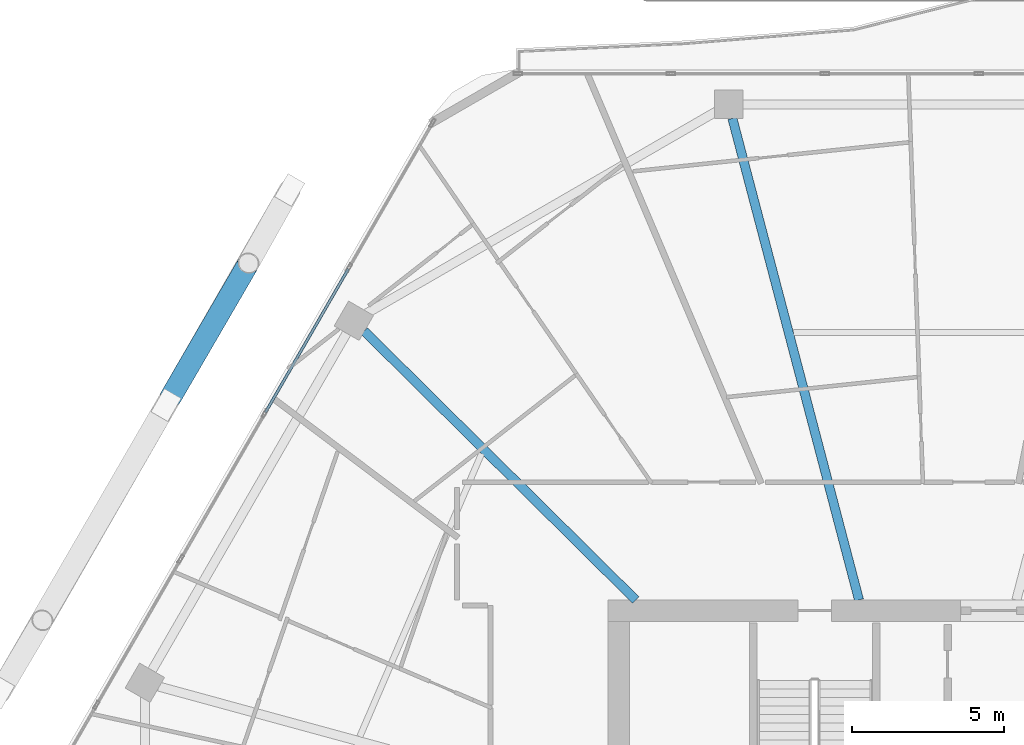
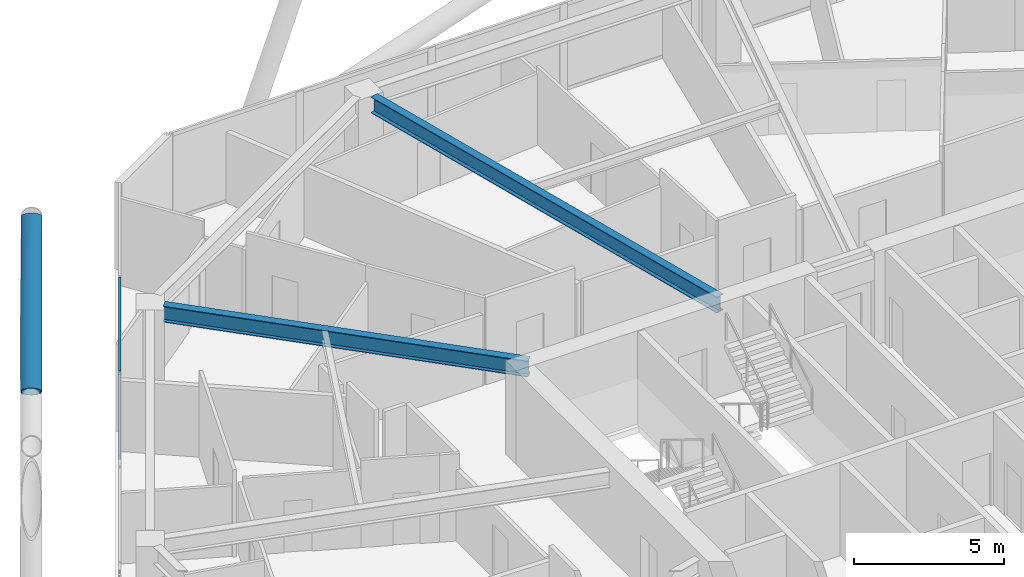
# One storey, part 12 of 28: 3 members, 2 beams, 1 element without a shape of its own.
"""IFC4 building model written with IfcOpenShell, lengths in metres."""

from ifc_helpers import new_model, si_unit, direction, frame, origin, origin_2d, place, context, subcontext, project, spatial, hollow_rectangle, hollow_circle, i_section, extrude, material, material_profile, profile_set, type_object, element, aggregate, save


model = new_model("IFC4")

# Units and contexts
model_context = context("Model", 3, precision=1e-05, world=origin(), true_north=direction((0.0, 1.0)))
body_context = subcontext(model_context, "Body", "Model", "MODEL_VIEW")
ifc_project = project(units=[si_unit("LENGTHUNIT", "METRE"), si_unit("AREAUNIT", "SQUARE_METRE"), si_unit("VOLUMEUNIT", "CUBIC_METRE"), si_unit("PLANEANGLEUNIT", "RADIAN"), si_unit("MASSUNIT", "GRAM", prefix="KILO")], contexts=[model_context])

# Site, building, storey
site_placement = place(None, origin())
site = spatial("IfcSite", under=ifc_project, at=site_placement, CompositionType="ELEMENT")
building_placement = place(site_placement, origin())
building = spatial("IfcBuilding", under=site, at=building_placement, Name="Zuhravey Tower", CompositionType="ELEMENT")
storey_placement = place(building_placement, frame((0.0, 0.0, 207.39990234375)))
storey = spatial("IfcBuildingStorey", under=building, at=storey_placement, Name="L52", CompositionType="ELEMENT", Elevation=207.39990234375)

# Curtain wall, members
ifc_material_1 = material(Name="Thermally broken anodised aluminium", Category="aluminium")
curtain_wall_type = type_object("IfcCurtainWallType", Name="Zone 1-2 Residential Curtain Wall CW3", PredefinedType="NOTDEFINED", material=ifc_material_1)
curtain_wall_placement = place(storey_placement, origin())
curtain_wall = element("IfcCurtainWall", 1, at=curtain_wall_placement, inside=storey, type_object=curtain_wall_type, Name="L52 CW3 CW-L52-F3-1", PredefinedType="NOTDEFINED")
ifc_material_2 = material(Name="Anodised aluminium", Category="aluminium")
ifc_material_profile_1 = material_profile(ifc_material_2, hollow_rectangle(XDim=0.090087890625, YDim=0.14990234375, WallThickness=0.0048828125, at=origin_2d()), Name="ALU-RHS-90x150x5")
ifc_profile_set_1 = profile_set([ifc_material_profile_1], Name="Anodised aluminium")
member_type_1 = type_object("IfcMemberType", Name="Curtain-Wall Transom 90x150", PredefinedType="USERDEFINED", material=ifc_profile_set_1)
member_1_placement = place(storey_placement, frame((13.867431640625, 48.03125, 0.045166015625), z_axis=(0.49996138257, 0.86604769842, 0.0), x_axis=(-0.86604769842, 0.49996138257, 0.0)))
member_1 = element("IfcMember", 2, at=member_1_placement, type_object=member_type_1, Name="CW3 transom 4.1", ObjectType="TRANSOM", PredefinedType="USERDEFINED", context=body_context, shape_type="SweptSolid", body=[
    extrude(hollow_rectangle(XDim=0.090087890625, YDim=0.14990234375, WallThickness=0.0048828125, at=origin_2d()), origin(), (0.0, 0.0, 1.0), 5.45458984375),
])
member_2_placement = place(storey_placement, frame((13.867431640625, 48.03125, 3.505126953125), z_axis=(0.49996138257, 0.86604769842, 0.0), x_axis=(-0.86604769842, 0.49996138257, 0.0)))
member_2 = element("IfcMember", 3, at=member_2_placement, type_object=member_type_1, Name="CW3 transom 4.2", ObjectType="TRANSOM", PredefinedType="USERDEFINED", context=body_context, shape_type="SweptSolid", body=[
    extrude(hollow_rectangle(XDim=0.090087890625, YDim=0.14990234375, WallThickness=0.0048828125, at=origin_2d()), origin(), (0.0, 0.0, 1.0), 5.45458984375),
])
aggregate(curtain_wall, [member_1, member_2])

# Member
ifc_material_3 = material(Name="Steel SM460", Category="steel")
ifc_material_profile_2 = material_profile(ifc_material_3, hollow_circle(Radius=0.355712890625, WallThickness=0.031982421875, at=origin_2d()), Name="CHS-711.2x32")
ifc_profile_set_2 = profile_set([ifc_material_profile_2], Name="Steel SM460")
member_type_2 = type_object("IfcMemberType", Name="Exoskeleton Zone 2 Diagrid CHS711x32", PredefinedType="BRACE", material=ifc_profile_set_2)
member_3_placement = place(storey_placement, frame((10.735107421875, 48.514404296875, 3.53515625), z_axis=(0.410721733314, 0.706831683015, 0.575931098022), x_axis=(-0.864627774747, 0.502412988622, 0.0)))
element("IfcMember", 4, at=member_3_placement, inside=storey, type_object=member_type_2, Name="L52 Face 3 Split Diagrid Brace 3B", PredefinedType="BRACE", context=body_context, shape_type="SweptSolid", body=[
    extrude(hollow_circle(Radius=0.355712890625, WallThickness=0.031982421875, at=origin_2d()), origin(), (0.0, 0.0, 1.0), 6.205078125),
])

# Beams
ifc_material_4 = material(Name="Steel SM355", Category="steel")
ifc_material_profile_3 = material_profile(ifc_material_4, i_section(OverallWidth=0.300048828125, OverallDepth=0.64990234375, WebThickness=0.012939453125, FlangeThickness=0.02197265625, at=origin_2d()), Name="H-650x300x13x22")
ifc_profile_set_3 = profile_set([ifc_material_profile_3], Name="Steel SM355")
beam_type = type_object("IfcBeamType", Name="Radial Primary Girder H650x300", PredefinedType="BEAM", material=ifc_profile_set_3)
beam_1_placement = place(storey_placement, frame((33.4091796875, 41.85302734375, 3.22509765625), z_axis=(-0.254299806285, 0.967125435775, 0.0), x_axis=(-0.967125435775, -0.254299806285, 0.0)))
element("IfcBeam", 5, at=beam_1_placement, inside=storey, type_object=beam_type, Name="L52 RG2 BM-L52-RAD-04", PredefinedType="BEAM", context=body_context, shape_type="SweptSolid", body=[
    extrude(i_section(OverallWidth=0.300048828125, OverallDepth=0.64990234375, WebThickness=0.012939453125, FlangeThickness=0.02197265625, at=origin_2d()), origin(), (0.0, 0.0, 1.0), 16.396728515625),
])
beam_2_placement = place(storey_placement, frame((26.054443359375, 41.85302734375, 3.22509765625), z_axis=(-0.710406645816, 0.703791444663, 0.0), x_axis=(-0.703791444663, -0.710406645816, 0.0)))
element("IfcBeam", 6, at=beam_2_placement, inside=storey, type_object=beam_type, Name="L52 RG2 BM-L52-RAD-05", PredefinedType="BEAM", context=body_context, shape_type="SweptSolid", body=[
    extrude(i_section(OverallWidth=0.300048828125, OverallDepth=0.64990234375, WebThickness=0.012939453125, FlangeThickness=0.02197265625, at=origin_2d()), origin(), (0.0, 0.0, 1.0), 12.5849609375),
])

save(model, "model.ifc")
